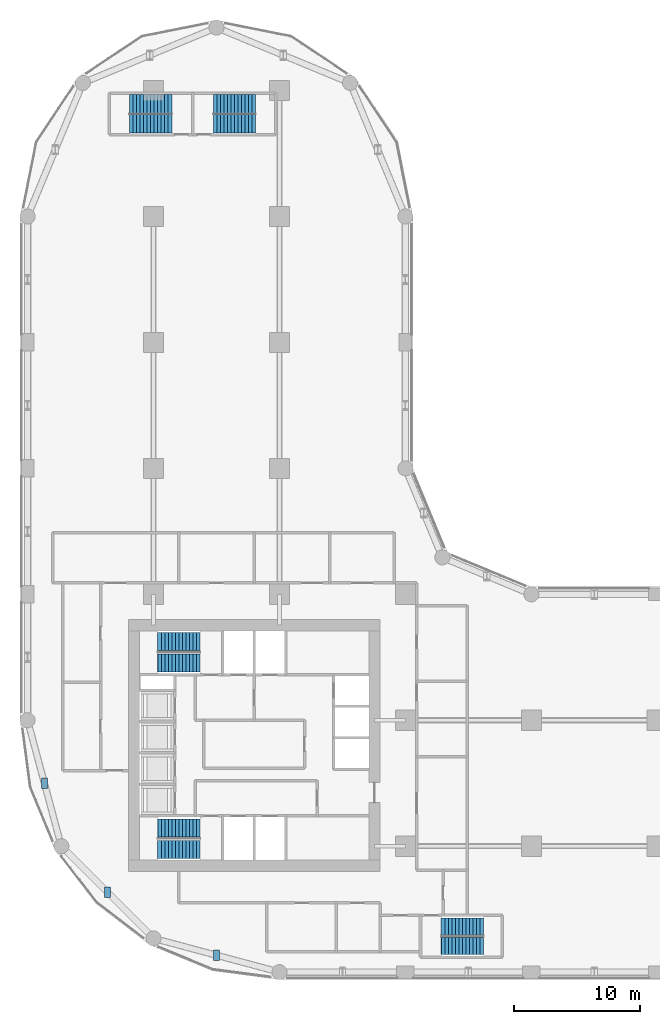
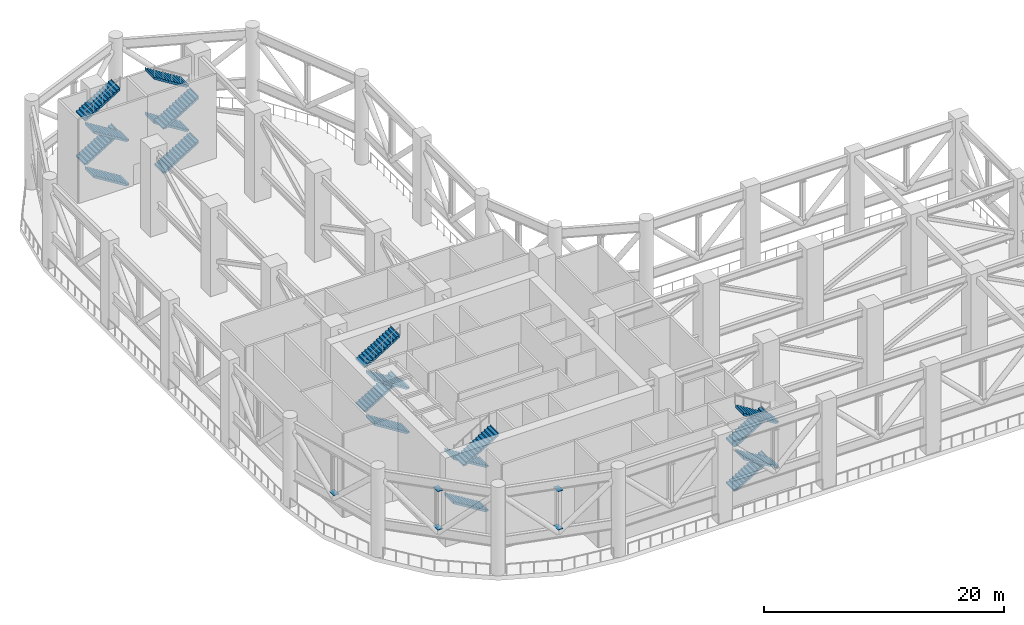
# One storey, part 10 of 14: 19 stair flights, 5 discrete accessories, 5 elements without a shape of their own.
"""IFC4 building model written with IfcOpenShell, lengths in metres."""

from ifc_helpers import new_model, si_unit, direction, frame, origin, origin_2d, place, context, subcontext, project, spatial, polyline, rectangle, outline, extrude, material, type_object, element, aggregate, save


model = new_model("IFC4")

# Units and contexts
model_context = context("Model", 3, precision=1e-05, world=origin(), true_north=direction((0.0, 1.0)))
body_context = subcontext(model_context, "Body", "Model", "MODEL_VIEW")
ifc_project = project(units=[si_unit("LENGTHUNIT", "METRE"), si_unit("AREAUNIT", "SQUARE_METRE"), si_unit("VOLUMEUNIT", "CUBIC_METRE"), si_unit("PLANEANGLEUNIT", "RADIAN"), si_unit("MASSUNIT", "GRAM", prefix="KILO")], contexts=[model_context])

# Site, building, storey
site_placement = place(None, origin())
site = spatial("IfcSite", under=ifc_project, at=site_placement, CompositionType="ELEMENT")
building_placement = place(site_placement, origin())
building = spatial("IfcBuilding", under=site, at=building_placement, Name="Qaws Garden Tower", CompositionType="ELEMENT")
storey_placement = place(building_placement, frame((0.0, 0.0, 117.300048828125)))
storey = spatial("IfcBuildingStorey", under=building, at=storey_placement, Name="L29", CompositionType="ELEMENT", Elevation=117.300048828125)

# Stair, stair flights
ifc_material_1 = material(Name="Concrete C40", Category="concrete")
stair_type_1 = type_object("IfcStairType", Name="Exit stair 1350", PredefinedType="HALF_TURN_STAIR", material=ifc_material_1)
placement = place(storey_placement, origin())
stair_1 = element("IfcStair", 1, at=placement, inside=storey, type_object=stair_type_1, Name="Stair 5", PredefinedType="HALF_TURN_STAIR")
ifc_material_2 = material(Name="Concrete C40", Category="concrete")
stair_flight_type_1 = type_object("IfcStairFlightType", Name="Stair flight 1350", PredefinedType="STRAIGHT", material=ifc_material_2)
stair_flight_1_placement = place(storey_placement, frame((32.85009765625, 3.625, 0.0), z_axis=(0.0, 0.0, 1.0), x_axis=(1.0, 0.0, 0.0)))
stair_flight_1 = element("IfcStairFlight", 2, at=stair_flight_1_placement, type_object=stair_flight_type_1, Name="ST5 flight 1", NumberOfRisers=13, NumberOfTreads=12, PredefinedType="STRAIGHT", RiserHeight=0.173076923, TreadLength=0.28, context=body_context, shape_type="SweptSolid", body=[
    extrude(outline(polyline([(-0.0029296875, 0.0), (-0.0029296875, 0.173095703125), (0.0, 0.173095703125), (0.280029296875, 0.173095703125), (0.280029296875, 0.34619140625), (0.56005859375, 0.34619140625), (0.56005859375, 0.519287109375), (0.840087890625, 0.519287109375), (0.840087890625, 0.6923828125), (1.1201171875, 0.6923828125), (1.1201171875, 0.865478515625), (1.39990234375, 0.865478515625), (1.39990234375, 1.03857421875), (1.679931640625, 1.03857421875), (1.679931640625, 1.21142578125), (1.9599609375, 1.21142578125), (1.9599609375, 1.384521484375), (2.239990234375, 1.384521484375), (2.239990234375, 1.5576171875), (2.52001953125, 1.5576171875), (2.52001953125, 1.730712890625), (2.800048828125, 1.730712890625), (2.800048828125, 1.90380859375), (3.080078125, 1.90380859375), (3.080078125, 2.076904296875), (3.360107421875, 2.076904296875), (3.360107421875, 2.25), (3.363037109375, 2.25), (3.363037109375, 1.900634765625), (3.360107421875, 1.900634765625), (0.28515625, 0.0), (-0.0029296875, 0.0)])), frame((0.0, 0.68994140625, 0.0), z_axis=(0.0, -1.0, 0.0), x_axis=(1.0, 0.0, 0.0)), (0.0, 0.0, 1.0), 1.3798828125),
])
stair_flight_2_placement = place(storey_placement, frame((36.2099609375, 2.074951171875, 2.25), z_axis=(0.0, 0.0, 1.0), x_axis=(-1.0, 0.0, 0.0)))
stair_flight_2 = element("IfcStairFlight", 3, at=stair_flight_2_placement, type_object=stair_flight_type_1, Name="ST5 flight 2", NumberOfRisers=13, NumberOfTreads=12, PredefinedType="STRAIGHT", RiserHeight=0.173076923, TreadLength=0.28, context=body_context, shape_type="SweptSolid", body=[
    extrude(outline(polyline([(-0.0029296875, 0.0), (-0.0029296875, 0.173095703125), (0.0, 0.173095703125), (0.280029296875, 0.173095703125), (0.280029296875, 0.34619140625), (0.56005859375, 0.34619140625), (0.56005859375, 0.519287109375), (0.840087890625, 0.519287109375), (0.840087890625, 0.6923828125), (1.1201171875, 0.6923828125), (1.1201171875, 0.865478515625), (1.39990234375, 0.865478515625), (1.39990234375, 1.03857421875), (1.679931640625, 1.03857421875), (1.679931640625, 1.21142578125), (1.9599609375, 1.21142578125), (1.9599609375, 1.384521484375), (2.239990234375, 1.384521484375), (2.239990234375, 1.5576171875), (2.52001953125, 1.5576171875), (2.52001953125, 1.730712890625), (2.800048828125, 1.730712890625), (2.800048828125, 1.90380859375), (3.080078125, 1.90380859375), (3.080078125, 2.076904296875), (3.360107421875, 2.076904296875), (3.360107421875, 2.25), (3.363037109375, 2.25), (3.363037109375, 1.900634765625), (3.360107421875, 1.900634765625), (0.28515625, 0.0), (-0.0029296875, 0.0)])), frame((0.0, 0.68994140625, 0.0), z_axis=(0.0, -1.0, 0.0), x_axis=(1.0, 0.0, 0.0)), (0.0, 0.0, 1.0), 1.3798828125),
])
stair_flight_3_placement = place(storey_placement, frame((32.85009765625, 3.625, 4.5), z_axis=(0.0, 0.0, 1.0), x_axis=(1.0, 0.0, 0.0)))
stair_flight_3 = element("IfcStairFlight", 4, at=stair_flight_3_placement, type_object=stair_flight_type_1, Name="ST5 flight 3", NumberOfRisers=13, NumberOfTreads=12, PredefinedType="STRAIGHT", RiserHeight=0.173076923, TreadLength=0.28, context=body_context, shape_type="SweptSolid", body=[
    extrude(outline(polyline([(-0.0029296875, 0.0), (-0.0029296875, 0.173095703125), (0.0, 0.173095703125), (0.280029296875, 0.173095703125), (0.280029296875, 0.34619140625), (0.56005859375, 0.34619140625), (0.56005859375, 0.519287109375), (0.840087890625, 0.519287109375), (0.840087890625, 0.6923828125), (1.1201171875, 0.6923828125), (1.1201171875, 0.865478515625), (1.39990234375, 0.865478515625), (1.39990234375, 1.03857421875), (1.679931640625, 1.03857421875), (1.679931640625, 1.21142578125), (1.9599609375, 1.21142578125), (1.9599609375, 1.384521484375), (2.239990234375, 1.384521484375), (2.239990234375, 1.5576171875), (2.52001953125, 1.5576171875), (2.52001953125, 1.730712890625), (2.800048828125, 1.730712890625), (2.800048828125, 1.90380859375), (3.080078125, 1.90380859375), (3.080078125, 2.076904296875), (3.360107421875, 2.076904296875), (3.360107421875, 2.25), (3.363037109375, 2.25), (3.363037109375, 1.900634765625), (3.360107421875, 1.900634765625), (0.28515625, 0.0), (-0.0029296875, 0.0)])), frame((0.0, 0.68994140625, 0.0), z_axis=(0.0, -1.0, 0.0), x_axis=(1.0, 0.0, 0.0)), (0.0, 0.0, 1.0), 1.3798828125),
])
stair_flight_4_placement = place(storey_placement, frame((36.2099609375, 2.074951171875, 6.75), z_axis=(0.0, 0.0, 1.0), x_axis=(-1.0, 0.0, 0.0)))
stair_flight_4 = element("IfcStairFlight", 5, at=stair_flight_4_placement, type_object=stair_flight_type_1, Name="ST5 flight 4", NumberOfRisers=13, NumberOfTreads=12, PredefinedType="STRAIGHT", RiserHeight=0.173076923, TreadLength=0.28, context=body_context, shape_type="SweptSolid", body=[
    extrude(outline(polyline([(-0.0029296875, 0.0), (-0.0029296875, 0.173095703125), (0.0, 0.173095703125), (0.280029296875, 0.173095703125), (0.280029296875, 0.34619140625), (0.56005859375, 0.34619140625), (0.56005859375, 0.519287109375), (0.840087890625, 0.519287109375), (0.840087890625, 0.6923828125), (1.1201171875, 0.6923828125), (1.1201171875, 0.865478515625), (1.39990234375, 0.865478515625), (1.39990234375, 1.03857421875), (1.679931640625, 1.03857421875), (1.679931640625, 1.21142578125), (1.9599609375, 1.21142578125), (1.9599609375, 1.384521484375), (2.239990234375, 1.384521484375), (2.239990234375, 1.5576171875), (2.52001953125, 1.5576171875), (2.52001953125, 1.730712890625), (2.800048828125, 1.730712890625), (2.800048828125, 1.90380859375), (3.080078125, 1.90380859375), (3.080078125, 2.076904296875), (3.360107421875, 2.076904296875), (3.360107421875, 2.25), (3.363037109375, 2.25), (3.363037109375, 1.900634765625), (3.360107421875, 1.900634765625), (0.28515625, 0.0), (-0.0029296875, 0.0)])), frame((0.0, 0.68994140625, 0.0), z_axis=(0.0, -1.0, 0.0), x_axis=(1.0, 0.0, 0.0)), (0.0, 0.0, 1.0), 1.3798828125),
])
aggregate(stair_1, [stair_flight_1, stair_flight_2, stair_flight_3, stair_flight_4])

stair_2 = element("IfcStair", 6, at=placement, inside=storey, type_object=stair_type_1, Name="Stair 6", PredefinedType="HALF_TURN_STAIR")
stair_flight_5_placement = place(storey_placement, frame((11.449951171875, 67.375, 0.0), z_axis=(0.0, 0.0, 1.0), x_axis=(-1.0, 0.0, 0.0)))
stair_flight_5 = element("IfcStairFlight", 7, at=stair_flight_5_placement, type_object=stair_flight_type_1, Name="ST6 flight 1", NumberOfRisers=13, NumberOfTreads=12, PredefinedType="STRAIGHT", RiserHeight=0.173076923, TreadLength=0.28, context=body_context, shape_type="SweptSolid", body=[
    extrude(outline(polyline([(-0.0029296875, 0.0), (-0.0029296875, 0.173095703125), (0.0, 0.173095703125), (0.280029296875, 0.173095703125), (0.280029296875, 0.34619140625), (0.56005859375, 0.34619140625), (0.56005859375, 0.519287109375), (0.840087890625, 0.519287109375), (0.840087890625, 0.6923828125), (1.1201171875, 0.6923828125), (1.1201171875, 0.865478515625), (1.39990234375, 0.865478515625), (1.39990234375, 1.03857421875), (1.679931640625, 1.03857421875), (1.679931640625, 1.21142578125), (1.9599609375, 1.21142578125), (1.9599609375, 1.384521484375), (2.239990234375, 1.384521484375), (2.239990234375, 1.5576171875), (2.52001953125, 1.5576171875), (2.52001953125, 1.730712890625), (2.800048828125, 1.730712890625), (2.800048828125, 1.90380859375), (3.080078125, 1.90380859375), (3.080078125, 2.076904296875), (3.360107421875, 2.076904296875), (3.360107421875, 2.25), (3.363037109375, 2.25), (3.363037109375, 1.900634765625), (3.360107421875, 1.900634765625), (0.28515625, 0.0), (-0.0029296875, 0.0)])), frame((0.0, 0.739990234375, 0.0), z_axis=(0.0, -1.0, 0.0), x_axis=(1.0, 0.0, 0.0)), (0.0, 0.0, 1.0), 1.47998046875),
])
stair_flight_6_placement = place(storey_placement, frame((8.090087890625, 68.925048828125, 2.25), z_axis=(0.0, 0.0, 1.0), x_axis=(1.0, 0.0, 0.0)))
stair_flight_6 = element("IfcStairFlight", 8, at=stair_flight_6_placement, type_object=stair_flight_type_1, Name="ST6 flight 2", NumberOfRisers=13, NumberOfTreads=12, PredefinedType="STRAIGHT", RiserHeight=0.173076923, TreadLength=0.28, context=body_context, shape_type="SweptSolid", body=[
    extrude(outline(polyline([(-0.0029296875, 0.0), (-0.0029296875, 0.173095703125), (0.0, 0.173095703125), (0.280029296875, 0.173095703125), (0.280029296875, 0.34619140625), (0.56005859375, 0.34619140625), (0.56005859375, 0.519287109375), (0.840087890625, 0.519287109375), (0.840087890625, 0.6923828125), (1.1201171875, 0.6923828125), (1.1201171875, 0.865478515625), (1.39990234375, 0.865478515625), (1.39990234375, 1.03857421875), (1.679931640625, 1.03857421875), (1.679931640625, 1.21142578125), (1.9599609375, 1.21142578125), (1.9599609375, 1.384521484375), (2.239990234375, 1.384521484375), (2.239990234375, 1.5576171875), (2.52001953125, 1.5576171875), (2.52001953125, 1.730712890625), (2.800048828125, 1.730712890625), (2.800048828125, 1.90380859375), (3.080078125, 1.90380859375), (3.080078125, 2.076904296875), (3.360107421875, 2.076904296875), (3.360107421875, 2.25), (3.363037109375, 2.25), (3.363037109375, 1.900634765625), (3.360107421875, 1.900634765625), (0.28515625, 0.0), (-0.0029296875, 0.0)])), frame((0.0, 0.739990234375, 0.0), z_axis=(0.0, -1.0, 0.0), x_axis=(1.0, 0.0, 0.0)), (0.0, 0.0, 1.0), 1.47998046875),
])
stair_flight_7_placement = place(storey_placement, frame((11.449951171875, 67.375, 4.5), z_axis=(0.0, 0.0, 1.0), x_axis=(-1.0, 0.0, 0.0)))
stair_flight_7 = element("IfcStairFlight", 9, at=stair_flight_7_placement, type_object=stair_flight_type_1, Name="ST6 flight 3", NumberOfRisers=13, NumberOfTreads=12, PredefinedType="STRAIGHT", RiserHeight=0.173076923, TreadLength=0.28, context=body_context, shape_type="SweptSolid", body=[
    extrude(outline(polyline([(-0.0029296875, 0.0), (-0.0029296875, 0.173095703125), (0.0, 0.173095703125), (0.280029296875, 0.173095703125), (0.280029296875, 0.34619140625), (0.56005859375, 0.34619140625), (0.56005859375, 0.519287109375), (0.840087890625, 0.519287109375), (0.840087890625, 0.6923828125), (1.1201171875, 0.6923828125), (1.1201171875, 0.865478515625), (1.39990234375, 0.865478515625), (1.39990234375, 1.03857421875), (1.679931640625, 1.03857421875), (1.679931640625, 1.21142578125), (1.9599609375, 1.21142578125), (1.9599609375, 1.384521484375), (2.239990234375, 1.384521484375), (2.239990234375, 1.5576171875), (2.52001953125, 1.5576171875), (2.52001953125, 1.730712890625), (2.800048828125, 1.730712890625), (2.800048828125, 1.90380859375), (3.080078125, 1.90380859375), (3.080078125, 2.076904296875), (3.360107421875, 2.076904296875), (3.360107421875, 2.25), (3.363037109375, 2.25), (3.363037109375, 1.900634765625), (3.360107421875, 1.900634765625), (0.28515625, 0.0), (-0.0029296875, 0.0)])), frame((0.0, 0.739990234375, 0.0), z_axis=(0.0, -1.0, 0.0), x_axis=(1.0, 0.0, 0.0)), (0.0, 0.0, 1.0), 1.47998046875),
])
stair_flight_8_placement = place(storey_placement, frame((8.090087890625, 68.925048828125, 6.75), z_axis=(0.0, 0.0, 1.0), x_axis=(1.0, 0.0, 0.0)))
stair_flight_8 = element("IfcStairFlight", 10, at=stair_flight_8_placement, type_object=stair_flight_type_1, Name="ST6 flight 4", NumberOfRisers=13, NumberOfTreads=12, PredefinedType="STRAIGHT", RiserHeight=0.173076923, TreadLength=0.28, context=body_context, shape_type="SweptSolid", body=[
    extrude(outline(polyline([(-0.0029296875, 0.0), (-0.0029296875, 0.173095703125), (0.0, 0.173095703125), (0.280029296875, 0.173095703125), (0.280029296875, 0.34619140625), (0.56005859375, 0.34619140625), (0.56005859375, 0.519287109375), (0.840087890625, 0.519287109375), (0.840087890625, 0.6923828125), (1.1201171875, 0.6923828125), (1.1201171875, 0.865478515625), (1.39990234375, 0.865478515625), (1.39990234375, 1.03857421875), (1.679931640625, 1.03857421875), (1.679931640625, 1.21142578125), (1.9599609375, 1.21142578125), (1.9599609375, 1.384521484375), (2.239990234375, 1.384521484375), (2.239990234375, 1.5576171875), (2.52001953125, 1.5576171875), (2.52001953125, 1.730712890625), (2.800048828125, 1.730712890625), (2.800048828125, 1.90380859375), (3.080078125, 1.90380859375), (3.080078125, 2.076904296875), (3.360107421875, 2.076904296875), (3.360107421875, 2.25), (3.363037109375, 2.25), (3.363037109375, 1.900634765625), (3.360107421875, 1.900634765625), (0.28515625, 0.0), (-0.0029296875, 0.0)])), frame((0.0, 0.739990234375, 0.0), z_axis=(0.0, -1.0, 0.0), x_axis=(1.0, 0.0, 0.0)), (0.0, 0.0, 1.0), 1.47998046875),
])
aggregate(stair_2, [stair_flight_5, stair_flight_6, stair_flight_7, stair_flight_8])

stair_3 = element("IfcStair", 11, at=placement, inside=storey, type_object=stair_type_1, Name="Stair 7", PredefinedType="HALF_TURN_STAIR")
stair_flight_9_placement = place(storey_placement, frame((14.75, 67.375, 0.0), z_axis=(0.0, 0.0, 1.0), x_axis=(1.0, 0.0, 0.0)))
stair_flight_9 = element("IfcStairFlight", 12, at=stair_flight_9_placement, type_object=stair_flight_type_1, Name="ST7 flight 1", NumberOfRisers=13, NumberOfTreads=12, PredefinedType="STRAIGHT", RiserHeight=0.173076923, TreadLength=0.28, context=body_context, shape_type="SweptSolid", body=[
    extrude(outline(polyline([(-0.0029296875, 0.0), (-0.0029296875, 0.173095703125), (0.0, 0.173095703125), (0.280029296875, 0.173095703125), (0.280029296875, 0.34619140625), (0.56005859375, 0.34619140625), (0.56005859375, 0.519287109375), (0.840087890625, 0.519287109375), (0.840087890625, 0.6923828125), (1.1201171875, 0.6923828125), (1.1201171875, 0.865478515625), (1.39990234375, 0.865478515625), (1.39990234375, 1.03857421875), (1.679931640625, 1.03857421875), (1.679931640625, 1.21142578125), (1.9599609375, 1.21142578125), (1.9599609375, 1.384521484375), (2.239990234375, 1.384521484375), (2.239990234375, 1.5576171875), (2.52001953125, 1.5576171875), (2.52001953125, 1.730712890625), (2.800048828125, 1.730712890625), (2.800048828125, 1.90380859375), (3.080078125, 1.90380859375), (3.080078125, 2.076904296875), (3.360107421875, 2.076904296875), (3.360107421875, 2.25), (3.363037109375, 2.25), (3.363037109375, 1.900634765625), (3.360107421875, 1.900634765625), (0.28515625, 0.0), (-0.0029296875, 0.0)])), frame((0.0, 0.739990234375, 0.0), z_axis=(0.0, -1.0, 0.0), x_axis=(1.0, 0.0, 0.0)), (0.0, 0.0, 1.0), 1.47998046875),
])
stair_flight_10_placement = place(storey_placement, frame((18.110107421875, 68.925048828125, 2.25), z_axis=(0.0, 0.0, 1.0), x_axis=(-1.0, 0.0, 0.0)))
stair_flight_10 = element("IfcStairFlight", 13, at=stair_flight_10_placement, type_object=stair_flight_type_1, Name="ST7 flight 2", NumberOfRisers=13, NumberOfTreads=12, PredefinedType="STRAIGHT", RiserHeight=0.173076923, TreadLength=0.28, context=body_context, shape_type="SweptSolid", body=[
    extrude(outline(polyline([(-0.0029296875, 0.0), (-0.0029296875, 0.173095703125), (0.0, 0.173095703125), (0.280029296875, 0.173095703125), (0.280029296875, 0.34619140625), (0.56005859375, 0.34619140625), (0.56005859375, 0.519287109375), (0.840087890625, 0.519287109375), (0.840087890625, 0.6923828125), (1.1201171875, 0.6923828125), (1.1201171875, 0.865478515625), (1.39990234375, 0.865478515625), (1.39990234375, 1.03857421875), (1.679931640625, 1.03857421875), (1.679931640625, 1.21142578125), (1.9599609375, 1.21142578125), (1.9599609375, 1.384521484375), (2.239990234375, 1.384521484375), (2.239990234375, 1.5576171875), (2.52001953125, 1.5576171875), (2.52001953125, 1.730712890625), (2.800048828125, 1.730712890625), (2.800048828125, 1.90380859375), (3.080078125, 1.90380859375), (3.080078125, 2.076904296875), (3.360107421875, 2.076904296875), (3.360107421875, 2.25), (3.363037109375, 2.25), (3.363037109375, 1.900634765625), (3.360107421875, 1.900634765625), (0.28515625, 0.0), (-0.0029296875, 0.0)])), frame((0.0, 0.739990234375, 0.0), z_axis=(0.0, -1.0, 0.0), x_axis=(1.0, 0.0, 0.0)), (0.0, 0.0, 1.0), 1.47998046875),
])
stair_flight_11_placement = place(storey_placement, frame((14.75, 67.375, 4.5), z_axis=(0.0, 0.0, 1.0), x_axis=(1.0, 0.0, 0.0)))
stair_flight_11 = element("IfcStairFlight", 14, at=stair_flight_11_placement, type_object=stair_flight_type_1, Name="ST7 flight 3", NumberOfRisers=13, NumberOfTreads=12, PredefinedType="STRAIGHT", RiserHeight=0.173076923, TreadLength=0.28, context=body_context, shape_type="SweptSolid", body=[
    extrude(outline(polyline([(-0.0029296875, 0.0), (-0.0029296875, 0.173095703125), (0.0, 0.173095703125), (0.280029296875, 0.173095703125), (0.280029296875, 0.34619140625), (0.56005859375, 0.34619140625), (0.56005859375, 0.519287109375), (0.840087890625, 0.519287109375), (0.840087890625, 0.6923828125), (1.1201171875, 0.6923828125), (1.1201171875, 0.865478515625), (1.39990234375, 0.865478515625), (1.39990234375, 1.03857421875), (1.679931640625, 1.03857421875), (1.679931640625, 1.21142578125), (1.9599609375, 1.21142578125), (1.9599609375, 1.384521484375), (2.239990234375, 1.384521484375), (2.239990234375, 1.5576171875), (2.52001953125, 1.5576171875), (2.52001953125, 1.730712890625), (2.800048828125, 1.730712890625), (2.800048828125, 1.90380859375), (3.080078125, 1.90380859375), (3.080078125, 2.076904296875), (3.360107421875, 2.076904296875), (3.360107421875, 2.25), (3.363037109375, 2.25), (3.363037109375, 1.900634765625), (3.360107421875, 1.900634765625), (0.28515625, 0.0), (-0.0029296875, 0.0)])), frame((0.0, 0.739990234375, 0.0), z_axis=(0.0, -1.0, 0.0), x_axis=(1.0, 0.0, 0.0)), (0.0, 0.0, 1.0), 1.47998046875),
])
stair_flight_12_placement = place(storey_placement, frame((18.110107421875, 68.925048828125, 6.75), z_axis=(0.0, 0.0, 1.0), x_axis=(-1.0, 0.0, 0.0)))
stair_flight_12 = element("IfcStairFlight", 15, at=stair_flight_12_placement, type_object=stair_flight_type_1, Name="ST7 flight 4", NumberOfRisers=13, NumberOfTreads=12, PredefinedType="STRAIGHT", RiserHeight=0.173076923, TreadLength=0.28, context=body_context, shape_type="SweptSolid", body=[
    extrude(outline(polyline([(-0.0029296875, 0.0), (-0.0029296875, 0.173095703125), (0.0, 0.173095703125), (0.280029296875, 0.173095703125), (0.280029296875, 0.34619140625), (0.56005859375, 0.34619140625), (0.56005859375, 0.519287109375), (0.840087890625, 0.519287109375), (0.840087890625, 0.6923828125), (1.1201171875, 0.6923828125), (1.1201171875, 0.865478515625), (1.39990234375, 0.865478515625), (1.39990234375, 1.03857421875), (1.679931640625, 1.03857421875), (1.679931640625, 1.21142578125), (1.9599609375, 1.21142578125), (1.9599609375, 1.384521484375), (2.239990234375, 1.384521484375), (2.239990234375, 1.5576171875), (2.52001953125, 1.5576171875), (2.52001953125, 1.730712890625), (2.800048828125, 1.730712890625), (2.800048828125, 1.90380859375), (3.080078125, 1.90380859375), (3.080078125, 2.076904296875), (3.360107421875, 2.076904296875), (3.360107421875, 2.25), (3.363037109375, 2.25), (3.363037109375, 1.900634765625), (3.360107421875, 1.900634765625), (0.28515625, 0.0), (-0.0029296875, 0.0)])), frame((0.0, 0.739990234375, 0.0), z_axis=(0.0, -1.0, 0.0), x_axis=(1.0, 0.0, 0.0)), (0.0, 0.0, 1.0), 1.47998046875),
])
aggregate(stair_3, [stair_flight_9, stair_flight_10, stair_flight_11, stair_flight_12])

ifc_material_3 = material(Name="Concrete C40", Category="concrete")
stair_type_2 = type_object("IfcStairType", Name="Exit stair 1500", PredefinedType="HALF_TURN_STAIR", material=ifc_material_3)
stair_4 = element("IfcStair", 16, at=placement, inside=storey, type_object=stair_type_2, Name="Stair 1", PredefinedType="HALF_TURN_STAIR")
ifc_material_4 = material(Name="Concrete C40", Category="concrete")
stair_flight_type_2 = type_object("IfcStairFlightType", Name="Stair flight 1500", PredefinedType="STRAIGHT", material=ifc_material_4)
stair_flight_13_placement = place(storey_placement, frame((13.699951171875, 11.449951171875, 0.0), z_axis=(0.0, 0.0, 1.0), x_axis=(-1.0, 0.0, 0.0)))
stair_flight_13 = element("IfcStairFlight", 17, at=stair_flight_13_placement, type_object=stair_flight_type_2, Name="ST1 flight 1", NumberOfRisers=13, NumberOfTreads=12, PredefinedType="STRAIGHT", RiserHeight=0.173076923, TreadLength=0.28, context=body_context, shape_type="SweptSolid", body=[
    extrude(outline(polyline([(-0.0029296875, 0.0), (-0.0029296875, 0.173095703125), (0.0, 0.173095703125), (0.280029296875, 0.173095703125), (0.280029296875, 0.34619140625), (0.56005859375, 0.34619140625), (0.56005859375, 0.519287109375), (0.840087890625, 0.519287109375), (0.840087890625, 0.6923828125), (1.1201171875, 0.6923828125), (1.1201171875, 0.865478515625), (1.39990234375, 0.865478515625), (1.39990234375, 1.03857421875), (1.679931640625, 1.03857421875), (1.679931640625, 1.21142578125), (1.9599609375, 1.21142578125), (1.9599609375, 1.384521484375), (2.239990234375, 1.384521484375), (2.239990234375, 1.5576171875), (2.52001953125, 1.5576171875), (2.52001953125, 1.730712890625), (2.800048828125, 1.730712890625), (2.800048828125, 1.90380859375), (3.080078125, 1.90380859375), (3.080078125, 2.076904296875), (3.360107421875, 2.076904296875), (3.360107421875, 2.25), (3.363037109375, 2.25), (3.363037109375, 1.900634765625), (3.360107421875, 1.900634765625), (0.28515625, 0.0), (-0.0029296875, 0.0)])), frame((0.0, 0.71484375, 0.0), z_axis=(0.0, -1.0, 0.0), x_axis=(1.0, 0.0, 0.0)), (0.0, 0.0, 1.0), 1.429931640625),
])
stair_flight_14_placement = place(storey_placement, frame((13.699951171875, 11.449951171875, 4.5), z_axis=(0.0, 0.0, 1.0), x_axis=(-1.0, 0.0, 0.0)))
stair_flight_14 = element("IfcStairFlight", 18, at=stair_flight_14_placement, type_object=stair_flight_type_2, Name="ST1 flight 3", NumberOfRisers=13, NumberOfTreads=12, PredefinedType="STRAIGHT", RiserHeight=0.173076923, TreadLength=0.28, context=body_context, shape_type="SweptSolid", body=[
    extrude(outline(polyline([(-0.0029296875, 0.0), (-0.0029296875, 0.173095703125), (0.0, 0.173095703125), (0.280029296875, 0.173095703125), (0.280029296875, 0.34619140625), (0.56005859375, 0.34619140625), (0.56005859375, 0.519287109375), (0.840087890625, 0.519287109375), (0.840087890625, 0.6923828125), (1.1201171875, 0.6923828125), (1.1201171875, 0.865478515625), (1.39990234375, 0.865478515625), (1.39990234375, 1.03857421875), (1.679931640625, 1.03857421875), (1.679931640625, 1.21142578125), (1.9599609375, 1.21142578125), (1.9599609375, 1.384521484375), (2.239990234375, 1.384521484375), (2.239990234375, 1.5576171875), (2.52001953125, 1.5576171875), (2.52001953125, 1.730712890625), (2.800048828125, 1.730712890625), (2.800048828125, 1.90380859375), (3.080078125, 1.90380859375), (3.080078125, 2.076904296875), (3.360107421875, 2.076904296875), (3.360107421875, 2.25), (3.363037109375, 2.25), (3.363037109375, 1.900634765625), (3.360107421875, 1.900634765625), (0.28515625, 0.0), (-0.0029296875, 0.0)])), frame((0.0, 0.71484375, 0.0), z_axis=(0.0, -1.0, 0.0), x_axis=(1.0, 0.0, 0.0)), (0.0, 0.0, 1.0), 1.429931640625),
])
stair_flight_15_placement = place(storey_placement, frame((10.340087890625, 9.75, 6.75), z_axis=(0.0, 0.0, 1.0), x_axis=(1.0, 0.0, 0.0)))
stair_flight_15 = element("IfcStairFlight", 19, at=stair_flight_15_placement, type_object=stair_flight_type_2, Name="ST1 flight 4", NumberOfRisers=13, NumberOfTreads=12, PredefinedType="STRAIGHT", RiserHeight=0.173076923, TreadLength=0.28, context=body_context, shape_type="SweptSolid", body=[
    extrude(outline(polyline([(-0.0029296875, 0.0), (-0.0029296875, 0.173095703125), (0.0, 0.173095703125), (0.280029296875, 0.173095703125), (0.280029296875, 0.34619140625), (0.56005859375, 0.34619140625), (0.56005859375, 0.519287109375), (0.840087890625, 0.519287109375), (0.840087890625, 0.6923828125), (1.1201171875, 0.6923828125), (1.1201171875, 0.865478515625), (1.39990234375, 0.865478515625), (1.39990234375, 1.03857421875), (1.679931640625, 1.03857421875), (1.679931640625, 1.21142578125), (1.9599609375, 1.21142578125), (1.9599609375, 1.384521484375), (2.239990234375, 1.384521484375), (2.239990234375, 1.5576171875), (2.52001953125, 1.5576171875), (2.52001953125, 1.730712890625), (2.800048828125, 1.730712890625), (2.800048828125, 1.90380859375), (3.080078125, 1.90380859375), (3.080078125, 2.076904296875), (3.360107421875, 2.076904296875), (3.360107421875, 2.25), (3.363037109375, 2.25), (3.363037109375, 1.900634765625), (3.360107421875, 1.900634765625), (0.28515625, 0.0), (-0.0029296875, 0.0)])), frame((0.0, 0.71484375, 0.0), z_axis=(0.0, -1.0, 0.0), x_axis=(1.0, 0.0, 0.0)), (0.0, 0.0, 1.0), 1.429931640625),
])
aggregate(stair_4, [stair_flight_13, stair_flight_14, stair_flight_15])

stair_5 = element("IfcStair", 20, at=placement, inside=storey, type_object=stair_type_2, Name="Stair 4", PredefinedType="HALF_TURN_STAIR")
stair_flight_16_placement = place(storey_placement, frame((13.699951171875, 24.550048828125, 0.0), z_axis=(0.0, 0.0, 1.0), x_axis=(-1.0, 0.0, 0.0)))
stair_flight_16 = element("IfcStairFlight", 21, at=stair_flight_16_placement, type_object=stair_flight_type_2, Name="ST4 flight 1", NumberOfRisers=13, NumberOfTreads=12, PredefinedType="STRAIGHT", RiserHeight=0.173076923, TreadLength=0.28, context=body_context, shape_type="SweptSolid", body=[
    extrude(outline(polyline([(-0.0029296875, 0.0), (-0.0029296875, 0.173095703125), (0.0, 0.173095703125), (0.280029296875, 0.173095703125), (0.280029296875, 0.34619140625), (0.56005859375, 0.34619140625), (0.56005859375, 0.519287109375), (0.840087890625, 0.519287109375), (0.840087890625, 0.6923828125), (1.1201171875, 0.6923828125), (1.1201171875, 0.865478515625), (1.39990234375, 0.865478515625), (1.39990234375, 1.03857421875), (1.679931640625, 1.03857421875), (1.679931640625, 1.21142578125), (1.9599609375, 1.21142578125), (1.9599609375, 1.384521484375), (2.239990234375, 1.384521484375), (2.239990234375, 1.5576171875), (2.52001953125, 1.5576171875), (2.52001953125, 1.730712890625), (2.800048828125, 1.730712890625), (2.800048828125, 1.90380859375), (3.080078125, 1.90380859375), (3.080078125, 2.076904296875), (3.360107421875, 2.076904296875), (3.360107421875, 2.25), (3.363037109375, 2.25), (3.363037109375, 1.900634765625), (3.360107421875, 1.900634765625), (0.28515625, 0.0), (-0.0029296875, 0.0)])), frame((0.0, 0.719970703125, 0.0), z_axis=(0.0, -1.0, 0.0), x_axis=(1.0, 0.0, 0.0)), (0.0, 0.0, 1.0), 1.43994140625),
])
stair_flight_17_placement = place(storey_placement, frame((10.340087890625, 26.25, 2.25), z_axis=(0.0, 0.0, 1.0), x_axis=(1.0, 0.0, 0.0)))
stair_flight_17 = element("IfcStairFlight", 22, at=stair_flight_17_placement, type_object=stair_flight_type_2, Name="ST4 flight 2", NumberOfRisers=13, NumberOfTreads=12, PredefinedType="STRAIGHT", RiserHeight=0.173076923, TreadLength=0.28, context=body_context, shape_type="SweptSolid", body=[
    extrude(outline(polyline([(-0.0029296875, 0.0), (-0.0029296875, 0.173095703125), (0.0, 0.173095703125), (0.280029296875, 0.173095703125), (0.280029296875, 0.34619140625), (0.56005859375, 0.34619140625), (0.56005859375, 0.519287109375), (0.840087890625, 0.519287109375), (0.840087890625, 0.6923828125), (1.1201171875, 0.6923828125), (1.1201171875, 0.865478515625), (1.39990234375, 0.865478515625), (1.39990234375, 1.03857421875), (1.679931640625, 1.03857421875), (1.679931640625, 1.21142578125), (1.9599609375, 1.21142578125), (1.9599609375, 1.384521484375), (2.239990234375, 1.384521484375), (2.239990234375, 1.5576171875), (2.52001953125, 1.5576171875), (2.52001953125, 1.730712890625), (2.800048828125, 1.730712890625), (2.800048828125, 1.90380859375), (3.080078125, 1.90380859375), (3.080078125, 2.076904296875), (3.360107421875, 2.076904296875), (3.360107421875, 2.25), (3.363037109375, 2.25), (3.363037109375, 1.900634765625), (3.360107421875, 1.900634765625), (0.28515625, 0.0), (-0.0029296875, 0.0)])), frame((0.0, 0.719970703125, 0.0), z_axis=(0.0, -1.0, 0.0), x_axis=(1.0, 0.0, 0.0)), (0.0, 0.0, 1.0), 1.43994140625),
])
stair_flight_18_placement = place(storey_placement, frame((13.699951171875, 24.550048828125, 4.5), z_axis=(0.0, 0.0, 1.0), x_axis=(-1.0, 0.0, 0.0)))
stair_flight_18 = element("IfcStairFlight", 23, at=stair_flight_18_placement, type_object=stair_flight_type_2, Name="ST4 flight 3", NumberOfRisers=13, NumberOfTreads=12, PredefinedType="STRAIGHT", RiserHeight=0.173076923, TreadLength=0.28, context=body_context, shape_type="SweptSolid", body=[
    extrude(outline(polyline([(-0.0029296875, 0.0), (-0.0029296875, 0.173095703125), (0.0, 0.173095703125), (0.280029296875, 0.173095703125), (0.280029296875, 0.34619140625), (0.56005859375, 0.34619140625), (0.56005859375, 0.519287109375), (0.840087890625, 0.519287109375), (0.840087890625, 0.6923828125), (1.1201171875, 0.6923828125), (1.1201171875, 0.865478515625), (1.39990234375, 0.865478515625), (1.39990234375, 1.03857421875), (1.679931640625, 1.03857421875), (1.679931640625, 1.21142578125), (1.9599609375, 1.21142578125), (1.9599609375, 1.384521484375), (2.239990234375, 1.384521484375), (2.239990234375, 1.5576171875), (2.52001953125, 1.5576171875), (2.52001953125, 1.730712890625), (2.800048828125, 1.730712890625), (2.800048828125, 1.90380859375), (3.080078125, 1.90380859375), (3.080078125, 2.076904296875), (3.360107421875, 2.076904296875), (3.360107421875, 2.25), (3.363037109375, 2.25), (3.363037109375, 1.900634765625), (3.360107421875, 1.900634765625), (0.28515625, 0.0), (-0.0029296875, 0.0)])), frame((0.0, 0.719970703125, 0.0), z_axis=(0.0, -1.0, 0.0), x_axis=(1.0, 0.0, 0.0)), (0.0, 0.0, 1.0), 1.43994140625),
])
stair_flight_19_placement = place(storey_placement, frame((10.340087890625, 26.25, 6.75), z_axis=(0.0, 0.0, 1.0), x_axis=(1.0, 0.0, 0.0)))
stair_flight_19 = element("IfcStairFlight", 24, at=stair_flight_19_placement, type_object=stair_flight_type_2, Name="ST4 flight 4", NumberOfRisers=13, NumberOfTreads=12, PredefinedType="STRAIGHT", RiserHeight=0.173076923, TreadLength=0.28, context=body_context, shape_type="SweptSolid", body=[
    extrude(outline(polyline([(-0.0029296875, 0.0), (-0.0029296875, 0.173095703125), (0.0, 0.173095703125), (0.280029296875, 0.173095703125), (0.280029296875, 0.34619140625), (0.56005859375, 0.34619140625), (0.56005859375, 0.519287109375), (0.840087890625, 0.519287109375), (0.840087890625, 0.6923828125), (1.1201171875, 0.6923828125), (1.1201171875, 0.865478515625), (1.39990234375, 0.865478515625), (1.39990234375, 1.03857421875), (1.679931640625, 1.03857421875), (1.679931640625, 1.21142578125), (1.9599609375, 1.21142578125), (1.9599609375, 1.384521484375), (2.239990234375, 1.384521484375), (2.239990234375, 1.5576171875), (2.52001953125, 1.5576171875), (2.52001953125, 1.730712890625), (2.800048828125, 1.730712890625), (2.800048828125, 1.90380859375), (3.080078125, 1.90380859375), (3.080078125, 2.076904296875), (3.360107421875, 2.076904296875), (3.360107421875, 2.25), (3.363037109375, 2.25), (3.363037109375, 1.900634765625), (3.360107421875, 1.900634765625), (0.28515625, 0.0), (-0.0029296875, 0.0)])), frame((0.0, 0.719970703125, 0.0), z_axis=(0.0, -1.0, 0.0), x_axis=(1.0, 0.0, 0.0)), (0.0, 0.0, 1.0), 1.43994140625),
])
aggregate(stair_5, [stair_flight_16, stair_flight_17, stair_flight_18, stair_flight_19])

# Discrete accessories
ifc_material_5 = material(Name="Steel S355", Category="steel")
discrete_accessory_type = type_object("IfcDiscreteAccessoryType", Name="Belt post end plate 30", PredefinedType="USERDEFINED", material=ifc_material_5)
discrete_accessory_1_placement = place(storey_placement, frame((1.339599609375, 15.0, 3.60791015625), z_axis=(0.0, 0.0, 1.0), x_axis=(1.0, 0.0, 0.0)))
element("IfcDiscreteAccessory", 25, at=discrete_accessory_1_placement, inside=storey, type_object=discrete_accessory_type, Name="Belt truss post 24 end plate bottom", ObjectType="End plate", PredefinedType="USERDEFINED", context=body_context, shape_type="SweptSolid", body=[
    extrude(rectangle(XDim=0.5, YDim=0.800048828125, at=origin_2d()), origin(), (0.0, 0.0, 1.0), 0.030029296875),
])
discrete_accessory_2_placement = place(storey_placement, frame((6.33984375, 6.33984375, 3.60791015625), z_axis=(0.0, 0.0, 1.0), x_axis=(1.0, 0.0, 0.0)))
element("IfcDiscreteAccessory", 26, at=discrete_accessory_2_placement, inside=storey, type_object=discrete_accessory_type, Name="Belt truss post 25 end plate bottom", ObjectType="End plate", PredefinedType="USERDEFINED", context=body_context, shape_type="SweptSolid", body=[
    extrude(rectangle(XDim=0.5, YDim=0.800048828125, at=origin_2d()), origin(), (0.0, 0.0, 1.0), 0.030029296875),
])
discrete_accessory_3_placement = place(storey_placement, frame((6.33984375, 6.33984375, 7.51171875), z_axis=(0.0, 0.0, 1.0), x_axis=(1.0, 0.0, 0.0)))
element("IfcDiscreteAccessory", 27, at=discrete_accessory_3_placement, inside=storey, type_object=discrete_accessory_type, Name="Belt truss post 25 end plate top", ObjectType="End plate", PredefinedType="USERDEFINED", context=body_context, shape_type="SweptSolid", body=[
    extrude(rectangle(XDim=0.5, YDim=0.800048828125, at=origin_2d()), origin(), (0.0, 0.0, 1.0), 0.030029296875),
])
discrete_accessory_4_placement = place(storey_placement, frame((15.0, 1.339599609375, 3.60791015625), z_axis=(0.0, 0.0, 1.0), x_axis=(1.0, 0.0, 0.0)))
element("IfcDiscreteAccessory", 28, at=discrete_accessory_4_placement, inside=storey, type_object=discrete_accessory_type, Name="Belt truss post 26 end plate bottom", ObjectType="End plate", PredefinedType="USERDEFINED", context=body_context, shape_type="SweptSolid", body=[
    extrude(rectangle(XDim=0.5, YDim=0.800048828125, at=origin_2d()), origin(), (0.0, 0.0, 1.0), 0.030029296875),
])
discrete_accessory_5_placement = place(storey_placement, frame((15.0, 1.339599609375, 7.51171875), z_axis=(0.0, 0.0, 1.0), x_axis=(1.0, 0.0, 0.0)))
element("IfcDiscreteAccessory", 29, at=discrete_accessory_5_placement, inside=storey, type_object=discrete_accessory_type, Name="Belt truss post 26 end plate top", ObjectType="End plate", PredefinedType="USERDEFINED", context=body_context, shape_type="SweptSolid", body=[
    extrude(rectangle(XDim=0.5, YDim=0.800048828125, at=origin_2d()), origin(), (0.0, 0.0, 1.0), 0.030029296875),
])

save(model, "model.ifc")
